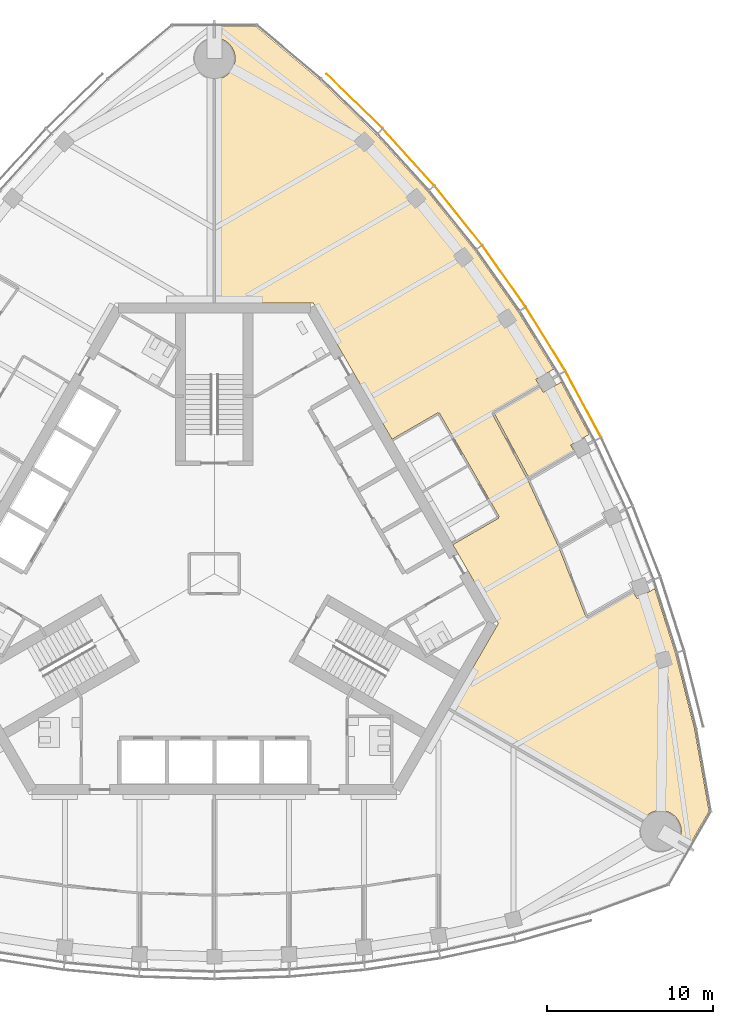
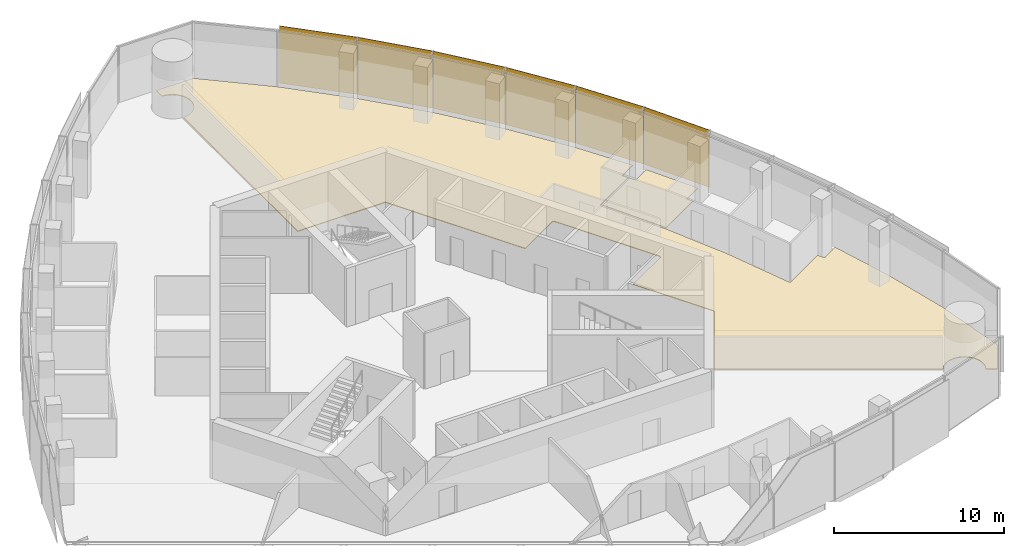
# One storey, part 14 of 16: 6 shading devices, 2 coverings.
"""IFC4 building model written with IfcOpenShell, lengths in metres."""

from ifc_helpers import new_model, si_unit, direction, frame, origin, origin_2d, place, context, subcontext, project, spatial, polyline, rectangle, outline, extrude, material, layer, layer_set, type_object, element, save


model = new_model("IFC4")

# Units and contexts
model_context = context("Model", 3, precision=1e-05, world=origin(), true_north=direction((0.0, 1.0)))
body_context = subcontext(model_context, "Body", "Model", "MODEL_VIEW")
ifc_project = project(units=[si_unit("LENGTHUNIT", "METRE"), si_unit("AREAUNIT", "SQUARE_METRE"), si_unit("VOLUMEUNIT", "CUBIC_METRE"), si_unit("PLANEANGLEUNIT", "RADIAN"), si_unit("MASSUNIT", "GRAM", prefix="KILO")], contexts=[model_context])

# Site, building, storey
site_placement = place(None, origin())
site = spatial("IfcSite", under=ifc_project, at=site_placement, CompositionType="ELEMENT")
building_placement = place(site_placement, origin())
building = spatial("IfcBuilding", under=site, at=building_placement, Name="Trefoil Bronze Tower", CompositionType="ELEMENT")
storey_placement = place(building_placement, frame((0.0, 0.0, 305.699951171875)))
storey = spatial("IfcBuildingStorey", under=building, at=storey_placement, Name="L70", CompositionType="ELEMENT", Elevation=305.699951171875)

# Shading devices
ifc_material_1 = material(Name="Perforated bronze sheet", Category="bronze")
ifc_layer_1 = layer(ifc_material_1, 0.0400390625)
ifc_layer_set_1 = layer_set([ifc_layer_1], Name="Bronze solar screen panel")
shading_device_type = type_object("IfcShadingDeviceType", Name="Bronze solar screen panel", PredefinedType="SHUTTER", material=ifc_layer_set_1)
for number, where, z_axis, x_axis, name in (
    (1, (22.19775390625, 10.198974609375, 0.050048828125), (0.0, 0.0, 1.0), (-0.473562437085, 0.880760250115, 0.0), "Solar screen CW-A L70 F2 bay 5"),
    (2, (19.931396484375, 14.124267578125, 0.050048828125), (0.0, 0.0, 1.0), (-0.525979532701, 0.850497225851, 0.0), "Solar screen CW-A L70 F2 bay 6"),
):
    element("IfcShadingDevice", number, at=place(storey_placement, frame(where, z_axis=z_axis, x_axis=x_axis)), inside=storey, type_object=shading_device_type, Name=name, PredefinedType="SHUTTER", context=body_context, shape_type="SweptSolid", body=[
        extrude(rectangle(XDim=4.47216796875, YDim=0.0400390625, at=origin_2d()), origin(), (0.0, 0.0, 1.0), 4.10009765625),
    ])
shading_device_1_placement = place(storey_placement, frame((17.4267578125, 17.912109375, 0.050048828125), z_axis=(0.0, 0.0, 1.0), x_axis=(-0.576560967783, 0.817054129437, 0.0)))
element("IfcShadingDevice", 3, at=shading_device_1_placement, inside=storey, type_object=shading_device_type, Name="Solar screen CW-A L70 F2 bay 7", PredefinedType="SHUTTER", context=body_context, shape_type="SweptSolid", body=[
    extrude(rectangle(XDim=4.48876953125, YDim=0.0400390625, at=origin_2d()), origin(), (0.0, 0.0, 1.0), 4.10009765625),
])
shading_device_2_placement = place(storey_placement, frame((14.680908203125, 21.560791015625, 0.050048828125), z_axis=(0.0, 0.0, 1.0), x_axis=(-0.625286758829, 0.780395072533, 0.0)))
element("IfcShadingDevice", 4, at=shading_device_2_placement, inside=storey, type_object=shading_device_type, Name="Solar screen CW-A L70 F2 bay 8", PredefinedType="SHUTTER", context=body_context, shape_type="SweptSolid", body=[
    extrude(rectangle(XDim=4.5224609375, YDim=0.0400390625, at=origin_2d()), origin(), (0.0, 0.0, 1.0), 4.10009765625),
])
shading_device_3_placement = place(storey_placement, frame((11.688720703125, 25.067138671875, 0.050048828125), z_axis=(0.0, 0.0, 1.0), x_axis=(-0.672115274615, 0.74044652584, 0.0)))
element("IfcShadingDevice", 5, at=shading_device_3_placement, inside=storey, type_object=shading_device_type, Name="Solar screen CW-A L70 F2 bay 9", PredefinedType="SHUTTER", context=body_context, shape_type="SweptSolid", body=[
    extrude(rectangle(XDim=4.574462890625, YDim=0.0400390625, at=origin_2d()), origin(), (0.0, 0.0, 1.0), 4.10009765625),
])
shading_device_4_placement = place(storey_placement, frame((8.42236328125, 28.443359375, 0.050048828125), z_axis=(0.0, 0.0, 1.0), x_axis=(-0.71721818561, 0.696848673839, 0.0)))
element("IfcShadingDevice", 6, at=shading_device_4_placement, inside=storey, type_object=shading_device_type, Name="Solar screen CW-A L70 F2 bay 10", PredefinedType="SHUTTER", context=body_context, shape_type="SweptSolid", body=[
    extrude(rectangle(XDim=4.697509765625, YDim=0.0400390625, at=origin_2d()), origin(), (0.0, 0.0, 1.0), 4.10009765625),
])

# Coverings
ifc_material_2 = material(Name="Raised access floor panels", Category="steel")
ifc_layer_2 = layer(ifc_material_2, 0.050048828125)
ifc_layer_set_2 = layer_set([ifc_layer_2], Name="Raised access floor 150")
covering_type = type_object("IfcCoveringType", Name="Raised access floor 150", PredefinedType="FLOORING", material=ifc_layer_set_2)
covering_1_placement = place(storey_placement, frame((0.0, 0.0, 0.10009765625)))
element("IfcCovering", 7, at=covering_1_placement, inside=storey, type_object=covering_type, Name="Raised floor L70 Office F2", PredefinedType="FLOORING", context=body_context, shape_type="SweptSolid", body=[
    extrude(outline(polyline([(22.56201171875, 8.38134765625), (21.441650390625, 7.734619140625), (21.680419921875, 7.321044921875), (21.677490234375, 7.3193359375), (21.647705078125, 7.371337890625), (18.91455078125, 5.79345703125), (16.83935546875, 9.65283203125), (19.57763671875, 11.23388671875), (19.547607421875, 11.285888671875), (19.57275390625, 11.30029296875), (19.798095703125, 10.90966796875), (20.869873046875, 11.5283203125), (22.56201171875, 8.38134765625)])), origin(), (0.0, 0.0, 1.0), 0.050048828125),
])
covering_2_placement = place(storey_placement, frame((0.0, 0.0, 0.10009765625)))
element("IfcCovering", 8, at=covering_2_placement, inside=storey, type_object=covering_type, Name="Raised floor L70 Open-plan office F2", PredefinedType="FLOORING", context=body_context, shape_type="SweptSolid", body=[
    extrude(outline(polyline([(19.547607421875, 11.285888671875), (19.517578125, 11.337890625), (16.72900390625, 9.727783203125), (16.759033203125, 9.67578125), (16.7060546875, 9.6474609375), (18.83740234375, 5.683837890625), (20.73046875, 1.584716796875), (22.38330078125, -2.655029296875), (22.439208984375, -2.63330078125), (22.468994140625, -2.685302734375), (25.206787109375, -1.104736328125), (25.439453125, -1.5078125), (26.500244140625, -0.895263671875), (27.741455078125, -4.76806640625), (28.899169921875, -9.3515625), (29.770263671875, -14.291748046875), (28.522216796875, -16.453125), (27.93505859375, -16.1142578125), (27.976806640625, -16.034423828125), (28.001708984375, -15.978515625), (28.023681640625, -15.921142578125), (28.04296875, -15.86279296875), (28.059326171875, -15.8037109375), (28.07275390625, -15.743896484375), (28.083251953125, -15.683349609375), (28.0908203125, -15.62255859375), (28.09521484375, -15.561279296875), (28.0966796875, -15.5), (28.09521484375, -15.438720703125), (28.0908203125, -15.37744140625), (28.083251953125, -15.316650390625), (28.07275390625, -15.256103515625), (28.059326171875, -15.1962890625), (28.04296875, -15.13720703125), (28.023681640625, -15.078857421875), (28.001708984375, -15.021484375), (27.976806640625, -14.965576171875), (27.94921875, -14.910888671875), (27.9189453125, -14.857421875), (27.885986328125, -14.805419921875), (27.850830078125, -14.75537109375), (27.81298828125, -14.70703125), (27.77294921875, -14.66064453125), (27.730712890625, -14.6162109375), (27.686279296875, -14.57373046875), (27.639892578125, -14.53369140625), (27.59130859375, -14.49609375), (27.541259765625, -14.460693359375), (27.489501953125, -14.427734375), (27.43603515625, -14.397705078125), (27.381103515625, -14.3701171875), (27.3251953125, -14.34521484375), (27.267822265625, -14.322998046875), (27.209716796875, -14.3037109375), (27.150390625, -14.28759765625), (27.0908203125, -14.27392578125), (27.0302734375, -14.263427734375), (26.96923828125, -14.256103515625), (26.908203125, -14.25146484375), (26.8466796875, -14.25), (26.785400390625, -14.25146484375), (26.724365234375, -14.256103515625), (26.663330078125, -14.263427734375), (26.602783203125, -14.27392578125), (26.543212890625, -14.28759765625), (26.48388671875, -14.3037109375), (26.42578125, -14.322998046875), (26.368408203125, -14.34521484375), (26.312255859375, -14.3701171875), (26.257568359375, -14.397705078125), (26.2041015625, -14.427734375), (26.15234375, -14.460693359375), (26.102294921875, -14.49609375), (26.0537109375, -14.53369140625), (26.00732421875, -14.57373046875), (25.962890625, -14.6162109375), (25.920654296875, -14.66064453125), (25.880615234375, -14.70703125), (25.8427734375, -14.75537109375), (25.8076171875, -14.805419921875), (25.77001953125, -14.865478515625), (14.119384765625, -8.144775390625), (17.089599609375, -3.0), (14.34814453125, 1.748291015625), (17.119384765625, 3.348388671875), (17.08935546875, 3.400390625), (17.141357421875, 3.430419921875), (13.54150390625, 9.66552734375), (13.489501953125, 9.635498046875), (13.45947265625, 9.6875), (10.68798828125, 8.087646484375), (5.94677734375, 16.300048828125), (0.006103515625, 16.300048828125), (0.01123046875, 29.750244140625), (0.061279296875, 29.75146484375), (0.12255859375, 29.756103515625), (0.183349609375, 29.763427734375), (0.243896484375, 29.77392578125), (0.3037109375, 29.78759765625), (0.36279296875, 29.8037109375), (0.421142578125, 29.822998046875), (0.478515625, 29.84521484375), (0.534423828125, 29.8701171875), (0.589111328125, 29.897705078125), (0.642578125, 29.927734375), (0.694580078125, 29.960693359375), (0.74462890625, 29.99609375), (0.79296875, 30.03369140625), (0.83935546875, 30.07373046875), (0.8837890625, 30.1162109375), (0.92626953125, 30.16064453125), (0.96630859375, 30.20703125), (1.00390625, 30.25537109375), (1.039306640625, 30.305419921875), (1.072265625, 30.357421875), (1.102294921875, 30.410888671875), (1.1298828125, 30.465576171875), (1.15478515625, 30.521484375), (1.177001953125, 30.578857421875), (1.1962890625, 30.63720703125), (1.21240234375, 30.6962890625), (1.22607421875, 30.756103515625), (1.236572265625, 30.816650390625), (1.243896484375, 30.87744140625), (1.24853515625, 30.938720703125), (1.25, 31.0), (1.24853515625, 31.061279296875), (1.243896484375, 31.12255859375), (1.236572265625, 31.183349609375), (1.22607421875, 31.243896484375), (1.21240234375, 31.3037109375), (1.1962890625, 31.36279296875), (1.177001953125, 31.421142578125), (1.15478515625, 31.478515625), (1.1298828125, 31.534423828125), (1.102294921875, 31.589111328125), (1.072265625, 31.642578125), (1.039306640625, 31.694580078125), (1.00390625, 31.74462890625), (0.96630859375, 31.79296875), (0.92626953125, 31.83935546875), (0.8837890625, 31.8837890625), (0.83935546875, 31.92626953125), (0.79296875, 31.96630859375), (0.74462890625, 32.00390625), (0.694580078125, 32.039306640625), (0.642578125, 32.072265625), (0.589111328125, 32.102294921875), (0.534423828125, 32.1298828125), (0.478515625, 32.15478515625), (0.421142578125, 32.177001953125), (0.36279296875, 32.1962890625), (0.3037109375, 32.21240234375), (0.243896484375, 32.22607421875), (0.183349609375, 32.236572265625), (0.12255859375, 32.243896484375), (0.061279296875, 32.24853515625), (0.01220703125, 32.249755859375), (0.01220703125, 32.927490234375), (2.508056640625, 32.927490234375), (6.350830078125, 29.703125), (9.741455078125, 26.408935546875), (12.836181640625, 22.99951171875), (15.682861328125, 19.44677734375), (18.2880859375, 15.7548828125), (20.418701171875, 12.3095703125), (19.34716796875, 11.69091796875), (19.57275390625, 11.30029296875), (19.547607421875, 11.285888671875)])), origin(), (0.0, 0.0, 1.0), 0.050048828125),
])

save(model, "model.ifc")
